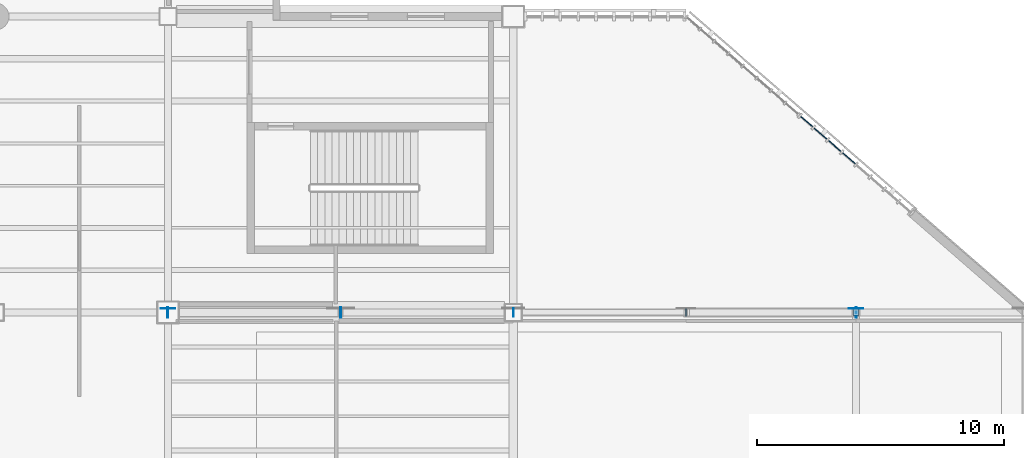
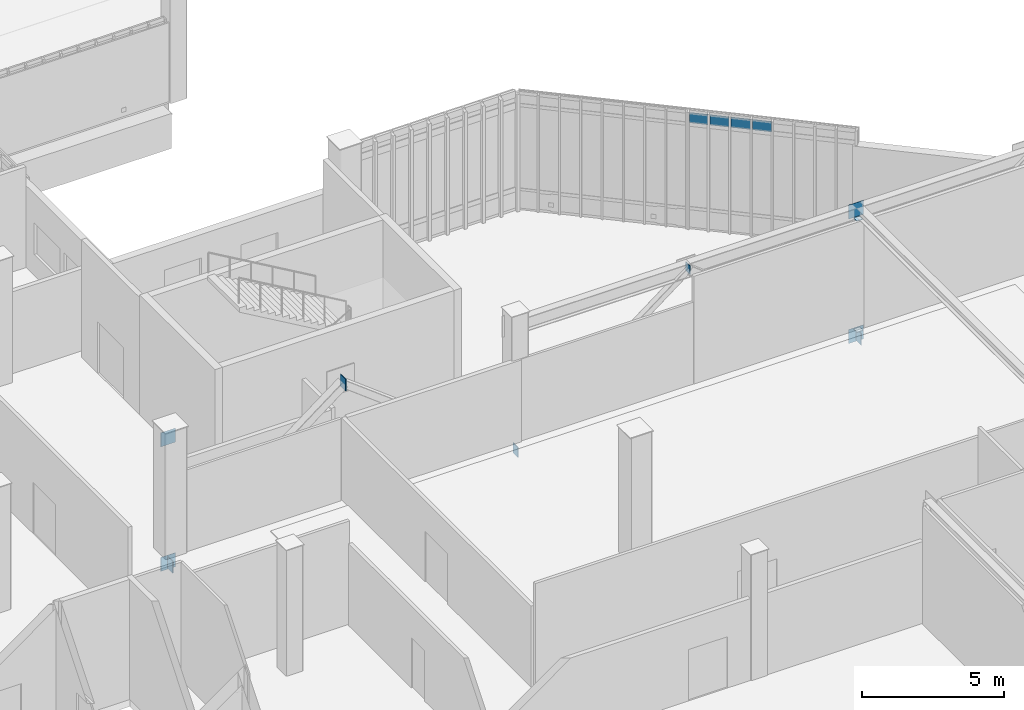
# One storey, part 108 of 135: 15 plates, 1 element without a shape of its own.
"""IFC4 building model written with IfcOpenShell, lengths in metres."""

from ifc_helpers import new_model, si_unit, direction, frame, origin, origin_2d, place, context, subcontext, project, spatial, rectangle, extrude, material, layer, layer_set, type_object, element, aggregate, save


model = new_model("IFC4")

# Units and contexts
model_context = context("Model", 3, precision=1e-05, world=origin(), true_north=direction((0.0, 1.0)))
body_context = subcontext(model_context, "Body", "Model", "MODEL_VIEW")
ifc_project = project(units=[si_unit("LENGTHUNIT", "METRE"), si_unit("AREAUNIT", "SQUARE_METRE"), si_unit("VOLUMEUNIT", "CUBIC_METRE"), si_unit("PLANEANGLEUNIT", "RADIAN"), si_unit("MASSUNIT", "GRAM", prefix="KILO")], contexts=[model_context])

# Site, building, storey
site_placement = place(None, origin())
site = spatial("IfcSite", under=ifc_project, at=site_placement, CompositionType="ELEMENT")
building_placement = place(site_placement, origin())
building = spatial("IfcBuilding", under=site, at=building_placement, Name="Larkvane Passage Sports Hall", CompositionType="ELEMENT")
storey_placement = place(building_placement, frame((0.0, 0.0, 16.800048828125)))
storey = spatial("IfcBuildingStorey", under=building, at=storey_placement, Name="L03", CompositionType="ELEMENT", Elevation=16.800048828125)

# Curtain wall, plates
ifc_material_1 = material(Name="Thermally broken aluminium and low-E glazing", Category="aluminium")
curtain_wall_type = type_object("IfcCurtainWallType", Name="CW-UNIT-VEIL", PredefinedType="USERDEFINED", material=ifc_material_1)
curtain_wall_placement = place(storey_placement, origin())
curtain_wall = element("IfcCurtainWall", 1, at=curtain_wall_placement, inside=storey, type_object=curtain_wall_type, Name="Curtain wall CW5-L03-113", ObjectType="UNITISED CURTAIN WALL", PredefinedType="USERDEFINED")
ifc_material_2 = material(Name="Laminated acoustic low-E glazing", Category="glass")
ifc_layer_1 = layer(ifc_material_2, 0.031982421875)
ifc_layer_set_1 = layer_set([ifc_layer_1], Name="Laminated acoustic low-E glazing")
plate_type_1 = type_object("IfcPlateType", Name="CWP-VIS-32", PredefinedType="CURTAIN_PANEL", material=ifc_layer_set_1)
plate_1_placement = place(storey_placement, frame((157.501708984375, 47.337646484375, 4.517333984375), z_axis=(0.0, 0.0, 1.0), x_axis=(0.754605522159, -0.65617871493, 0.0)))
plate_1 = element("IfcPlate", 2, at=plate_1_placement, type_object=plate_type_1, Name="CW-02 panel 1.3", PredefinedType="CURTAIN_PANEL", context=body_context, shape_type="SweptSolid", body=[
    extrude(rectangle(XDim=0.6494140625, YDim=0.031982421875, at=origin_2d()), origin(), (0.0, 0.0, 1.0), 0.4375),
])
plate_2_placement = place(storey_placement, frame((158.0625, 46.85009765625, 4.517333984375), z_axis=(0.0, 0.0, 1.0), x_axis=(0.754605522159, -0.65617871493, 0.0)))
plate_2 = element("IfcPlate", 3, at=plate_2_placement, type_object=plate_type_1, Name="CW-02 panel 2.3", PredefinedType="CURTAIN_PANEL", context=body_context, shape_type="SweptSolid", body=[
    extrude(rectangle(XDim=0.68701171875, YDim=0.031982421875, at=origin_2d()), origin(), (0.0, 0.0, 1.0), 0.4375),
])
plate_3_placement = place(storey_placement, frame((158.637451171875, 46.35009765625, 4.517333984375), z_axis=(0.0, 0.0, 1.0), x_axis=(0.754605522159, -0.65617871493, 0.0)))
plate_3 = element("IfcPlate", 4, at=plate_3_placement, type_object=plate_type_1, Name="CW-02 panel 3.3", PredefinedType="CURTAIN_PANEL", context=body_context, shape_type="SweptSolid", body=[
    extrude(rectangle(XDim=0.68701171875, YDim=0.031982421875, at=origin_2d()), origin(), (0.0, 0.0, 1.0), 0.4375),
])
plate_4_placement = place(storey_placement, frame((159.21240234375, 45.85009765625, 4.517333984375), z_axis=(0.0, 0.0, 1.0), x_axis=(0.754605522159, -0.65617871493, 0.0)))
plate_4 = element("IfcPlate", 5, at=plate_4_placement, type_object=plate_type_1, Name="CW-02 panel 4.3", PredefinedType="CURTAIN_PANEL", context=body_context, shape_type="SweptSolid", body=[
    extrude(rectangle(XDim=0.68701171875, YDim=0.031982421875, at=origin_2d()), origin(), (0.0, 0.0, 1.0), 0.4375),
])
aggregate(curtain_wall, [plate_1, plate_2, plate_3, plate_4])

# Plates
ifc_material_3 = material(Name="Steel S355JR", Category="steel")
ifc_layer_2 = layer(ifc_material_3, 0.011962890625)
ifc_layer_set_2 = layer_set([ifc_layer_2], Name="Steel S355JR")
plate_type_2 = type_object("IfcPlateType", Name="PLT-CAP-12", PredefinedType="SHEET", material=ifc_layer_set_2)
plate_5_placement = place(storey_placement, frame((152.604736328125, 39.60009765625, 4.54248046875), z_axis=(0.0, 0.0, 1.0), x_axis=(0.0, 1.0, 0.0)))
element("IfcPlate", 6, at=plate_5_placement, inside=storey, type_object=plate_type_2, Name="Hollow section sealed end cap plate 0190", PredefinedType="SHEET", context=body_context, shape_type="SweptSolid", body=[
    extrude(rectangle(XDim=0.31005859375, YDim=0.028076171875, at=origin_2d()), origin(), (0.0, 0.0, 1.0), 0.3740234375),
])
for number, where, z_axis, x_axis, name in (
    (7, (159.5, 39.60009765625, -0.33203125), (0.0, 0.0, 1.0), (1.0, 0.0, 0.0), "Hollow section sealed end cap plate 0193"),
    (8, (159.5, 39.60009765625, 4.43212890625), (0.0, 0.0, 1.0), (1.0, 0.0, 0.0), "Hollow section sealed end cap plate 0194"),
):
    element("IfcPlate", number, at=place(storey_placement, frame(where, z_axis=z_axis, x_axis=x_axis)), inside=storey, type_object=plate_type_2, Name=name, PredefinedType="SHEET", context=body_context, shape_type="SweptSolid", body=[
        extrude(rectangle(XDim=0.239990234375, YDim=0.239990234375, at=origin_2d()), origin(), (0.0, 0.0, 1.0), 0.011962890625),
    ])
ifc_material_4 = material(Name="Steel S460N", Category="steel")
ifc_layer_3 = layer(ifc_material_4, 0.02001953125)
ifc_layer_set_3 = layer_set([ifc_layer_3], Name="Steel S460N")
plate_type_3 = type_object("IfcPlateType", Name="PLT-CAP-20", PredefinedType="SHEET", material=ifc_layer_set_3)
for number, where, z_axis, x_axis, name in (
    (9, (131.592041015625, 39.60009765625, -0.8701171875), (0.0, 0.0, 1.0), (0.0, 1.0, 0.0), "Hollow section sealed end cap plate 0187"),
    (10, (138.60791015625, 39.60009765625, 4.48193359375), (0.0, 0.0, 1.0), (0.0, 1.0, 0.0), "Hollow section sealed end cap plate 0188"),
):
    element("IfcPlate", number, at=place(storey_placement, frame(where, z_axis=z_axis, x_axis=x_axis)), inside=storey, type_object=plate_type_3, Name=name, PredefinedType="SHEET", context=body_context, shape_type="SweptSolid", body=[
        extrude(rectangle(XDim=0.409912109375, YDim=0.028076171875, at=origin_2d()), origin(), (0.0, 0.0, 1.0), 0.5),
    ])
plate_6_placement = place(storey_placement, frame((145.60791015625, 39.60009765625, -0.838623046875), z_axis=(0.0, 0.0, 1.0), x_axis=(0.0, 1.0, 0.0)))
element("IfcPlate", 11, at=plate_6_placement, inside=storey, type_object=plate_type_3, Name="Hollow section sealed end cap plate 0189", PredefinedType="SHEET", context=body_context, shape_type="SweptSolid", body=[
    extrude(rectangle(XDim=0.360107421875, YDim=0.028076171875, at=origin_2d()), origin(), (0.0, 0.0, 1.0), 0.43701171875),
])
plate_7_placement = place(storey_placement, frame((159.5078125, 39.60009765625, -0.87158203125), z_axis=(0.0, 0.0, 1.0), x_axis=(0.0, 1.0, 0.0)))
element("IfcPlate", 12, at=plate_7_placement, inside=storey, type_object=plate_type_3, Name="Hollow section sealed end cap plate 0191", PredefinedType="SHEET", context=body_context, shape_type="SweptSolid", body=[
    extrude(rectangle(XDim=0.409912109375, YDim=0.028076171875, at=origin_2d()), origin(), (0.0, 0.0, 1.0), 0.5029296875),
])
ifc_layer_4 = layer(ifc_material_4, 0.01611328125)
ifc_layer_set_4 = layer_set([ifc_layer_4], Name="Steel S460N")
plate_type_4 = type_object("IfcPlateType", Name="PLT-GUS-16", PredefinedType="USERDEFINED", material=ifc_layer_set_4)
for number, where, z_axis, x_axis, name in (
    (13, (131.60009765625, 39.758056640625, -0.9140625), (0.0, 0.0, 1.0), (1.0, 0.0, 0.0), "Truss node gusset plate ND-1B (CT-E3A-2)"),
    (14, (131.60009765625, 39.758056640625, 4.42578125), (0.0, 0.0, 1.0), (1.0, 0.0, 0.0), "Truss node gusset plate ND-1T (CT-E3A-2)"),
    (15, (159.5, 39.758056640625, -0.9140625), (0.0, 0.0, 1.0), (1.0, 0.0, 0.0), "Truss node gusset plate ND-5B (CT-E3A-2)"),
    (16, (159.5, 39.758056640625, 4.42578125), (0.0, 0.0, 1.0), (1.0, 0.0, 0.0), "Truss node gusset plate ND-5T (CT-E3A-2)"),
):
    element("IfcPlate", number, at=place(storey_placement, frame(where, z_axis=z_axis, x_axis=x_axis)), inside=storey, type_object=plate_type_4, Name=name, ObjectType="GUSSET PLATE", PredefinedType="USERDEFINED", context=body_context, shape_type="SweptSolid", body=[
        extrude(rectangle(XDim=0.60009765625, YDim=0.01611328125, at=origin_2d()), origin(), (0.0, 0.0, 1.0), 0.60009765625),
    ])

save(model, "model.ifc")
